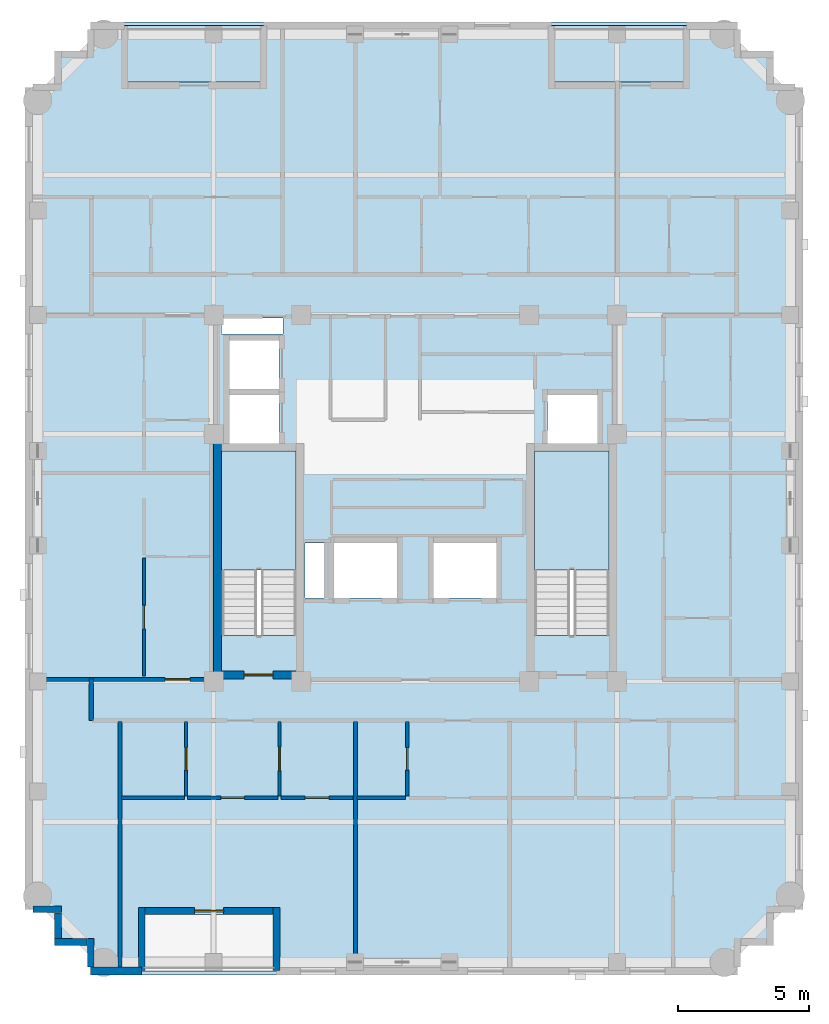
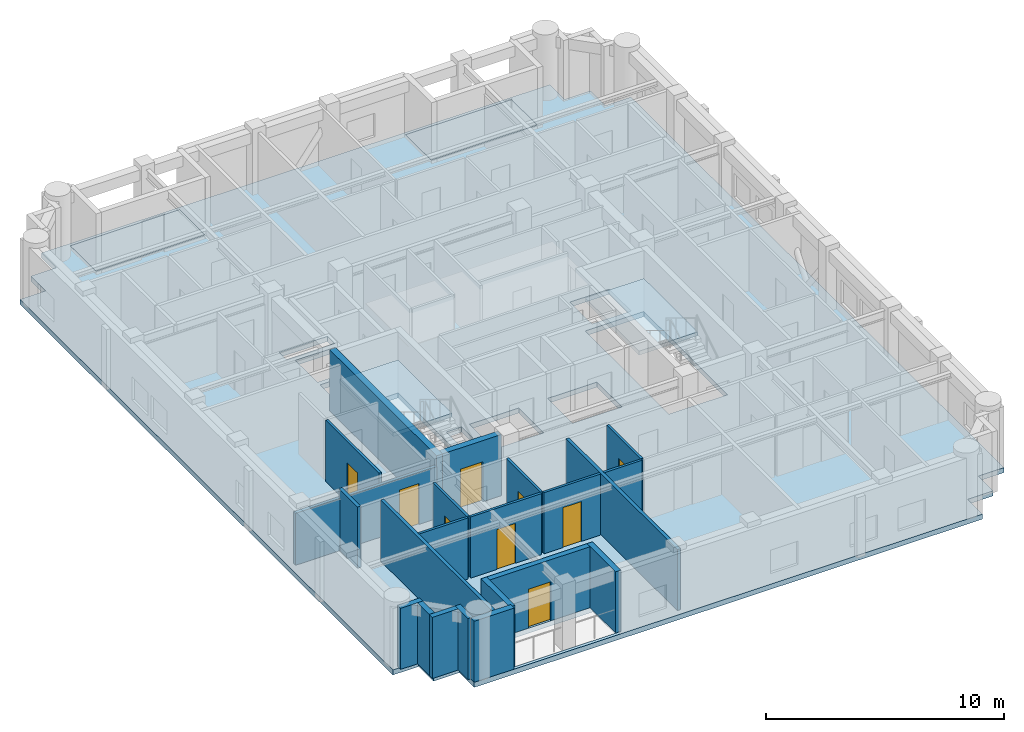
# One storey, part 2 of 10: 22 walls, 9 doors, 5 slabs, 9 openings, 2 elements without a shape of their own.
"""IFC4 building model written with IfcOpenShell, lengths in metres."""

from ifc_helpers import new_model, si_unit, derived_unit, direction, frame, frame_2d, origin, place, context, subcontext, project, spatial, polyline, rectangle, outline, extrude, material, layer, layer_set, type_object, element, fill, aggregate, save


model = new_model("IFC4")

# Units and contexts
model_context = context("Model", 3, precision=1e-05, world=origin(), true_north=direction((0.0, 1.0)))
body_context = subcontext(model_context, "Body", "Model", "MODEL_VIEW")
ifc_project = project(units=[si_unit("LENGTHUNIT", "METRE"), si_unit("AREAUNIT", "SQUARE_METRE"), si_unit("VOLUMEUNIT", "CUBIC_METRE"), si_unit("PLANEANGLEUNIT", "RADIAN"), si_unit("MASSUNIT", "GRAM", prefix="KILO"), derived_unit("THERMALTRANSMITTANCEUNIT", [(si_unit("MASSUNIT", "GRAM", prefix="KILO"), 1), (si_unit("TIMEUNIT", "SECOND"), -3), (si_unit("THERMODYNAMICTEMPERATUREUNIT", "KELVIN"), -1)])], contexts=[model_context])

# Site, building, storey
site_placement = place(None, origin())
site = spatial("IfcSite", under=ifc_project, at=site_placement, CompositionType="ELEMENT")
building_placement = place(site_placement, origin())
building = spatial("IfcBuilding", under=site, at=building_placement, Name="Korrvale Station Residences", CompositionType="ELEMENT")
storey_placement = place(building_placement, frame((0.0, 0.0, 237.699951171875)))
storey = spatial("IfcBuildingStorey", under=building, at=storey_placement, Name="L69", CompositionType="ELEMENT", Elevation=237.699951171875)

# Slabs
ifc_material_1 = material(Name="Concrete C50/60", Category="concrete")
ifc_layer_1 = layer(ifc_material_1, 0.219970703125, Name="Concrete C50/60")
ifc_layer_set_1 = layer_set([ifc_layer_1], Name="Concrete C50/60")
slab_type_1 = type_object("IfcSlabType", Name="SLB-BAL-220", PredefinedType="FLOOR", material=ifc_layer_set_1)
slab_1_placement = place(storey_placement, frame((0.0, 0.0, -0.219970703125)))
element("IfcSlab", 1, at=slab_1_placement, inside=storey, type_object=slab_type_1, Name="L69 Recessed Loggia Balcony Slab BAL-L69-N1", PredefinedType="FLOOR", context=body_context, shape_type="SweptSolid", body=[
    extrude(outline(polyline([(30.699951171875, 37.89990234375), (35.85009765625, 37.89990234375), (35.85009765625, 40.050048828125), (30.699951171875, 40.050048828125), (30.699951171875, 37.89990234375)])), origin(), (0.0, 0.0, 1.0), 0.219970703125),
])
slab_2_placement = place(storey_placement, frame((0.0, 0.0, -0.219970703125)))
element("IfcSlab", 2, at=slab_2_placement, inside=storey, type_object=slab_type_1, Name="L69 Recessed Loggia Balcony Slab BAL-L69-N2", PredefinedType="FLOOR", context=body_context, shape_type="SweptSolid", body=[
    extrude(outline(polyline([(14.39990234375, 37.89990234375), (19.699951171875, 37.89990234375), (19.699951171875, 40.050048828125), (14.39990234375, 40.050048828125), (14.39990234375, 37.89990234375)])), origin(), (0.0, 0.0, 1.0), 0.219970703125),
])
ifc_layer_2 = layer(ifc_material_1, 0.260009765625, Name="Concrete C50/60")
ifc_layer_set_2 = layer_set([ifc_layer_2], Name="Concrete C50/60")
slab_type_2 = type_object("IfcSlabType", Name="SLB-FLR-260", PredefinedType="FLOOR", material=ifc_layer_set_2)
slab_3_placement = place(storey_placement, frame((0.0, 0.0, -0.260009765625)))
element("IfcSlab", 3, at=slab_3_placement, inside=storey, type_object=slab_type_2, Name="L69 Suspended Structural Floor Slab", PredefinedType="FLOOR", context=body_context, shape_type="SweptSolid", body=[
    extrude(outline(polyline([(13.10009765625, 3.800048828125), (37.800048828125, 3.800048828125), (37.800048828125, 5.050048828125), (39.050048828125, 5.050048828125), (39.050048828125, 6.300048828125), (40.300048828125, 6.300048828125), (40.300048828125, 37.699951171875), (39.050048828125, 37.699951171875), (39.050048828125, 38.949951171875), (37.800048828125, 38.949951171875), (37.800048828125, 40.199951171875), (13.10009765625, 40.199951171875), (13.10009765625, 38.949951171875), (11.85009765625, 38.949951171875), (11.85009765625, 37.699951171875), (10.60009765625, 37.699951171875), (10.60009765625, 6.300048828125), (11.85009765625, 6.300048828125), (11.85009765625, 5.050048828125), (13.10009765625, 5.050048828125), (13.10009765625, 3.800048828125)]), holes=[polyline([(20.949951171875, 16.751953125), (20.949951171875, 23.800048828125), (18.10009765625, 23.800048828125), (18.10009765625, 16.751953125), (20.949951171875, 16.751953125)]), polyline([(32.89990234375, 16.751953125), (32.89990234375, 23.800048828125), (30.050048828125, 23.800048828125), (30.050048828125, 16.751953125), (32.89990234375, 16.751953125)]), polyline([(18.39990234375, 24.10009765625), (20.300048828125, 24.10009765625), (20.300048828125, 25.949951171875), (18.39990234375, 25.949951171875), (18.39990234375, 24.10009765625)]), polyline([(18.39990234375, 26.169921875), (20.300048828125, 26.169921875), (20.300048828125, 28.02001953125), (18.39990234375, 28.02001953125), (18.39990234375, 26.169921875)]), polyline([(30.550048828125, 24.10009765625), (32.449951171875, 24.10009765625), (32.449951171875, 25.949951171875), (30.550048828125, 25.949951171875), (30.550048828125, 24.10009765625)]), polyline([(22.39990234375, 18.199951171875), (24.800048828125, 18.199951171875), (24.800048828125, 20.300048828125), (22.39990234375, 20.300048828125), (22.39990234375, 18.199951171875)]), polyline([(26.199951171875, 18.199951171875), (28.60009765625, 18.199951171875), (28.60009765625, 20.300048828125), (26.199951171875, 20.300048828125), (26.199951171875, 18.199951171875)]), polyline([(18.10009765625, 28.280029296875), (20.449951171875, 28.280029296875), (20.449951171875, 28.8798828125), (18.10009765625, 28.8798828125), (18.10009765625, 28.280029296875)]), polyline([(21.280029296875, 18.199951171875), (22.02001953125, 18.199951171875), (22.02001953125, 20.300048828125), (21.280029296875, 20.300048828125), (21.280029296875, 18.199951171875)]), polyline([(15.050048828125, 3.949951171875), (20.199951171875, 3.949951171875), (20.199951171875, 6.10009765625), (15.050048828125, 6.10009765625), (15.050048828125, 3.949951171875)]), polyline([(30.699951171875, 37.89990234375), (35.85009765625, 37.89990234375), (35.85009765625, 40.050048828125), (30.699951171875, 40.050048828125), (30.699951171875, 37.89990234375)]), polyline([(14.39990234375, 37.89990234375), (19.699951171875, 37.89990234375), (19.699951171875, 40.050048828125), (14.39990234375, 40.050048828125), (14.39990234375, 37.89990234375)])]), origin(), (0.0, 0.0, 1.0), 0.260009765625),
])

# Stair, slab
stair_type = type_object("IfcStairType", Name="STR-DL-1350-20R-1700", PredefinedType="HALF_TURN_STAIR", material=ifc_material_1)
stair_1_placement = place(storey_placement, origin())
stair_1 = element("IfcStair", 4, at=stair_1_placement, inside=storey, type_object=stair_type, Name="L69 Exit Stair 1", PredefinedType="HALF_TURN_STAIR")
ifc_layer_3 = layer(ifc_material_1, 0.199951171875, Name="Concrete C50/60")
ifc_layer_set_3 = layer_set([ifc_layer_3], Name="Concrete C50/60")
slab_type_3 = type_object("IfcSlabType", Name="SLB-LND-200", PredefinedType="LANDING", material=ifc_layer_set_3)
slab_4_placement = place(storey_placement, frame((0.0, 0.0, 1.5)))
slab_4 = element("IfcSlab", 5, at=slab_4_placement, type_object=slab_type_3, Name="ST-1 landing 1", PredefinedType="LANDING", context=body_context, shape_type="SweptSolid", body=[
    extrude(outline(polyline([(20.949951171875, 19.27001953125), (20.949951171875, 23.800048828125), (18.10009765625, 23.800048828125), (18.10009765625, 19.27001953125), (20.949951171875, 19.27001953125)])), origin(), (0.0, 0.0, 1.0), 0.199951171875),
])
aggregate(stair_1, [slab_4])

stair_2_placement = place(storey_placement, origin())
stair_2 = element("IfcStair", 6, at=stair_2_placement, inside=storey, type_object=stair_type, Name="L69 Exit Stair 2", PredefinedType="HALF_TURN_STAIR")
slab_5_placement = place(storey_placement, frame((0.0, 0.0, 1.5)))
slab_5 = element("IfcSlab", 7, at=slab_5_placement, type_object=slab_type_3, Name="ST-2 landing 1", PredefinedType="LANDING", context=body_context, shape_type="SweptSolid", body=[
    extrude(outline(polyline([(32.89990234375, 19.27001953125), (32.89990234375, 23.800048828125), (30.050048828125, 23.800048828125), (30.050048828125, 19.27001953125), (32.89990234375, 19.27001953125)])), origin(), (0.0, 0.0, 1.0), 0.199951171875),
])
aggregate(stair_2, [slab_5])

# Wall
ifc_layer_4 = layer(ifc_material_1, 0.300048828125, Name="Concrete C50/60")
ifc_layer_set_4 = layer_set([ifc_layer_4], Name="Concrete C50/60")
wall_type_1 = type_object("IfcWallType", Name="WAL-CORE-300-C50", PredefinedType="SHEAR", material=ifc_layer_set_4)
wall_1_placement = place(storey_placement, frame((17.949951171875, 15.10009765625, 0.0), z_axis=(0.0, 0.0, 1.0), x_axis=(0.0, 1.0, 0.0)))
element("IfcWall", 8, at=wall_1_placement, inside=storey, type_object=wall_type_1, Name="L69 ST-1 Core Shear Wall West", PredefinedType="SHEAR", context=body_context, shape_type="SweptSolid", body=[
    extrude(rectangle(XDim=9.0, YDim=0.300048828125, at=frame_2d((4.5, 0.0))), origin(), (0.0, 0.0, 1.0), 3.14013671875),
])

# Wall, opening, door
wall_2_placement = place(storey_placement, frame((18.10009765625, 15.25, 0.0), z_axis=(0.0, 0.0, 1.0), x_axis=(1.0, 0.0, 0.0)))
wall_2 = element("IfcWall", 9, at=wall_2_placement, inside=storey, type_object=wall_type_1, Name="L69 ST-1 Core Shear Wall South", PredefinedType="SHEAR", context=body_context, shape_type="SweptSolid", body=[
    extrude(rectangle(XDim=2.849853515625, YDim=0.300048828125, at=frame_2d((1.4248046875, 0.0))), origin(), (0.0, 0.0, 1.0), 3.14013671875),
])
opening_1_placement = place(wall_2_placement, frame((0.860107421875, 0.0, 0.0)))
opening_1 = element("IfcOpeningElement", 10, at=opening_1_placement, cuts=wall_2, Name="Opening SD-1100", PredefinedType="OPENING", context=body_context, shape_type="SweptSolid", body=[
    extrude(rectangle(XDim=1.10009765625, YDim=2.050048828125, at=frame_2d((0.550048828125, 1.02490234375))), frame((0.0, 0.16015625, 0.0), z_axis=(0.0, -1.0, 0.0), x_axis=(1.0, 0.0, 0.0)), (0.0, 0.0, 1.0), 0.320068359375),
])
ifc_material_2 = material(Name="Hollow-metal fire-rated stair door with closer", Category="steel")
door_type_1 = type_object("IfcDoorType", Name="DR-STAIR-1100", OperationType="NOTDEFINED", PredefinedType="DOOR", material=ifc_material_2)
door_1_placement = place(opening_1_placement, origin())
door_1 = element("IfcDoor", 11, at=door_1_placement, inside=storey, type_object=door_type_1, Name="L69 ST-1 Exit Stair Door", OperationType="SINGLE_SWING_LEFT", OverallHeight=2.050048828125, OverallWidth=1.10009765625, PredefinedType="DOOR", context=body_context, shape_type="SweptSolid", body=[
    extrude(rectangle(XDim=1.10009765625, YDim=2.050048828125, at=frame_2d((0.550048828125, 1.02490234375))), frame((0.0, 0.02490234375, 0.0), z_axis=(0.0, -1.0, 0.0), x_axis=(1.0, 0.0, 0.0)), (0.0, 0.0, 1.0), 0.050048828125),
])
fill(opening_1, door_1)

# Wall
ifc_material_3 = material(Name="Precast concrete C45/55", Category="concrete")
ifc_layer_5 = layer(ifc_material_3, 0.260009765625, Name="Precast concrete C45/55")
ifc_layer_set_5 = layer_set([ifc_layer_5], Name="Precast concrete C45/55")
wall_type_2 = type_object("IfcWallType", Name="WAL-EXT-LOG260", PredefinedType="SOLIDWALL", material=ifc_layer_set_5)
wall_3_placement = place(storey_placement, frame((20.199951171875, 3.9599609375, 0.0), z_axis=(0.0, 0.0, 1.0), x_axis=(0.0, 1.0, 0.0)))
element("IfcWall", 12, at=wall_3_placement, inside=storey, type_object=wall_type_2, Name="L69 Recessed Loggia Wall BAL-L69-S1-L", PredefinedType="SOLIDWALL", context=body_context, shape_type="SweptSolid", body=[
    extrude(rectangle(XDim=2.400146484375, YDim=0.260009765625, at=frame_2d((1.2001953125, 0.0))), origin(), (0.0, 0.0, 1.0), 3.14013671875),
])

# Wall, opening, door
wall_4_placement = place(storey_placement, frame((20.06591796875, 6.22998046875, 0.0), z_axis=(0.0, 0.0, 1.0), x_axis=(-1.0, 0.0, 0.0)))
wall_4 = element("IfcWall", 13, at=wall_4_placement, inside=storey, type_object=wall_type_2, Name="L69 Recessed Loggia Wall BAL-L69-S1-B", PredefinedType="SOLIDWALL", context=body_context, shape_type="SweptSolid", body=[
    extrude(rectangle(XDim=4.8818359375, YDim=0.260009765625, at=frame_2d((2.44091796875, 0.0))), origin(), (0.0, 0.0, 1.0), 3.14013671875),
])
opening_2_placement = place(wall_4_placement, frame((1.89111328125, 0.0, 0.0)))
opening_2 = element("IfcOpeningElement", 14, at=opening_2_placement, cuts=wall_4, Name="Opening BD-01", PredefinedType="OPENING", context=body_context, shape_type="SweptSolid", body=[
    extrude(rectangle(XDim=1.10009765625, YDim=2.0, at=frame_2d((0.550048828125, 1.0))), frame((0.0, 0.14013671875, 0.0), z_axis=(0.0, -1.0, 0.0), x_axis=(1.0, 0.0, 0.0)), (0.0, 0.0, 1.0), 0.280029296875),
])
ifc_material_4 = material(Name="Exterior thermally broken aluminium glazed balcony door", Category="aluminium")
door_type_2 = type_object("IfcDoorType", Name="DR-EXT-BAL", OperationType="NOTDEFINED", PredefinedType="DOOR", material=ifc_material_4)
door_2_placement = place(opening_2_placement, origin())
door_2 = element("IfcDoor", 15, at=door_2_placement, inside=storey, type_object=door_type_2, Name="L69 Loggia Balcony Door BAL-L69-S1", OperationType="SINGLE_SWING_LEFT", OverallHeight=2.0, OverallWidth=1.10009765625, PredefinedType="DOOR", context=body_context, shape_type="SweptSolid", body=[
    extrude(rectangle(XDim=1.10009765625, YDim=2.0, at=frame_2d((0.550048828125, 1.0))), frame((0.0, 0.02490234375, 0.0), z_axis=(0.0, -1.0, 0.0), x_axis=(1.0, 0.0, 0.0)), (0.0, 0.0, 1.0), 0.050048828125),
])
fill(opening_2, door_2)

# Walls
wall_5_placement = place(storey_placement, frame((15.050048828125, 6.360107421875, 0.0), z_axis=(0.0, 0.0, 1.0), x_axis=(0.0, -1.0, 0.0)))
element("IfcWall", 16, at=wall_5_placement, inside=storey, type_object=wall_type_2, Name="L69 Recessed Loggia Wall BAL-L69-S1-R", PredefinedType="SOLIDWALL", context=body_context, shape_type="SweptSolid", body=[
    extrude(rectangle(XDim=2.400146484375, YDim=0.260009765625, at=frame_2d((1.2001953125, 0.0))), origin(), (0.0, 0.0, 1.0), 3.14013671875),
])
wall_6_placement = place(storey_placement, frame((13.10009765625, 4.10205078125, 0.0), z_axis=(0.0, 0.0, 1.0), x_axis=(0.0, 1.0, 0.0)))
element("IfcWall", 17, at=wall_6_placement, inside=storey, type_object=wall_type_2, Name="L69 Serrated Corner Precast Step SW-1", PredefinedType="SOLIDWALL", context=body_context, shape_type="SweptSolid", body=[
    extrude(rectangle(XDim=1.077880859375, YDim=0.260009765625, at=frame_2d((0.5390625, 0.0))), origin(), (0.0, 0.0, 1.0), 3.14013671875),
])
wall_7_placement = place(storey_placement, frame((12.968017578125, 5.050048828125, 0.0), z_axis=(0.0, 0.0, 1.0), x_axis=(-1.0, 0.0, 0.0)))
element("IfcWall", 18, at=wall_7_placement, inside=storey, type_object=wall_type_2, Name="L69 Serrated Corner Precast Step SW-2", PredefinedType="SOLIDWALL", context=body_context, shape_type="SweptSolid", body=[
    extrude(rectangle(XDim=1.248046875, YDim=0.260009765625, at=frame_2d((0.6240234375, 0.0))), origin(), (0.0, 0.0, 1.0), 3.14013671875),
])
wall_8_placement = place(storey_placement, frame((11.85009765625, 5.181884765625, 0.0), z_axis=(0.0, 0.0, 1.0), x_axis=(0.0, 1.0, 0.0)))
element("IfcWall", 19, at=wall_8_placement, inside=storey, type_object=wall_type_2, Name="L69 Serrated Corner Precast Step SW-3", PredefinedType="SOLIDWALL", context=body_context, shape_type="SweptSolid", body=[
    extrude(rectangle(XDim=0.986083984375, YDim=0.260009765625, at=frame_2d((0.4931640625, 0.0))), origin(), (0.0, 0.0, 1.0), 3.14013671875),
])
wall_9_placement = place(storey_placement, frame((11.97998046875, 6.300048828125, 0.0), z_axis=(0.0, 0.0, 1.0), x_axis=(-1.0, 0.0, 0.0)))
element("IfcWall", 20, at=wall_9_placement, inside=storey, type_object=wall_type_2, Name="L69 Serrated Corner Precast Step SW-4", PredefinedType="SOLIDWALL", context=body_context, shape_type="SweptSolid", body=[
    extrude(rectangle(XDim=1.077880859375, YDim=0.260009765625, at=frame_2d((0.5390625, 0.0))), origin(), (0.0, 0.0, 1.0), 3.14013671875),
])
ifc_layer_6 = layer(ifc_material_3, 0.300048828125, Name="Precast concrete C45/55")
ifc_layer_set_6 = layer_set([ifc_layer_6], Name="Precast concrete C45/55")
wall_type_3 = type_object("IfcWallType", Name="WAL-EXT-PC300", PredefinedType="SOLIDWALL", material=ifc_layer_set_6)
wall_10_placement = place(storey_placement, frame((15.050048828125, 3.949951171875, 0.0), z_axis=(0.0, 0.0, 1.0), x_axis=(-1.0, 0.0, 0.0)))
element("IfcWall", 21, at=wall_10_placement, inside=storey, type_object=wall_type_3, Name="L69 South Exterior Precast Wall 2", PredefinedType="SOLIDWALL", context=body_context, shape_type="SweptSolid", body=[
    extrude(rectangle(XDim=1.949951171875, YDim=0.300048828125, at=frame_2d((0.97509765625, 0.0))), origin(), (0.0, 0.0, 1.0), 3.14013671875),
])

# Wall, opening, door
ifc_material_5 = material(Name="Acoustic steel-stud gypsum board partition", Category="steel")
ifc_layer_7 = layer(ifc_material_5, 0.1201171875, Name="Acoustic steel-stud gypsum board partition")
ifc_layer_set_7 = layer_set([ifc_layer_7], Name="Acoustic steel-stud gypsum board partition")
wall_type_4 = type_object("IfcWallType", Name="WAL-PART-125", PredefinedType="PARTITIONING", material=ifc_layer_set_7)
wall_11_placement = place(storey_placement, frame((16.739990234375, 10.6201171875, 0.0), z_axis=(0.0, 0.0, 1.0), x_axis=(0.0, 1.0, 0.0)))
wall_11 = element("IfcWall", 22, at=wall_11_placement, inside=storey, type_object=wall_type_4, Name="L69 Suite Partition U01-V01", PredefinedType="PARTITIONING", context=body_context, shape_type="SweptSolid", body=[
    extrude(rectangle(XDim=2.849853515625, YDim=0.1201171875, at=frame_2d((1.4248046875, 0.0))), origin(), (0.0, 0.0, 1.0), 3.14013671875),
])
opening_3_placement = place(wall_11_placement, frame((0.9951171875, 0.0, 0.0)))
opening_3 = element("IfcOpeningElement", 23, at=opening_3_placement, cuts=wall_11, Name="Opening DB-860", PredefinedType="OPENING", context=body_context, shape_type="SweptSolid", body=[
    extrude(rectangle(XDim=0.860107421875, YDim=2.050048828125, at=frame_2d((0.43017578125, 1.02490234375))), frame((0.0, 0.070068359375, 0.0), z_axis=(0.0, -1.0, 0.0), x_axis=(1.0, 0.0, 0.0)), (0.0, 0.0, 1.0), 0.14013671875),
])
ifc_material_6 = material(Name="Moisture-resistant solid-core bathroom door", Category="timber")
door_type_3 = type_object("IfcDoorType", Name="DR-BATH-860", OperationType="NOTDEFINED", PredefinedType="DOOR", material=ifc_material_6)
door_3_placement = place(opening_3_placement, origin())
door_3 = element("IfcDoor", 24, at=door_3_placement, inside=storey, type_object=door_type_3, Name="L69 Studio Apartment L69-U01 Bathroom Door", OperationType="SINGLE_SWING_LEFT", OverallHeight=2.050048828125, OverallWidth=0.860107421875, PredefinedType="DOOR", context=body_context, shape_type="SweptSolid", body=[
    extrude(rectangle(XDim=0.860107421875, YDim=2.050048828125, at=frame_2d((0.43017578125, 1.02490234375))), frame((0.0, 0.02490234375, 0.0), z_axis=(0.0, -1.0, 0.0), x_axis=(1.0, 0.0, 0.0)), (0.0, 0.0, 1.0), 0.050048828125),
])
fill(opening_3, door_3)

# Wall
wall_12_placement = place(storey_placement, frame((14.280029296875, 10.56005859375, 0.0), z_axis=(0.0, 0.0, 1.0), x_axis=(1.0, 0.0, 0.0)))
element("IfcWall", 25, at=wall_12_placement, inside=storey, type_object=wall_type_4, Name="L69 Suite Partition U01-H03", PredefinedType="PARTITIONING", context=body_context, shape_type="SweptSolid", body=[
    extrude(rectangle(XDim=2.39990234375, YDim=0.1201171875, at=frame_2d((1.199951171875, 0.0))), origin(), (0.0, 0.0, 1.0), 3.14013671875),
])

# Wall, opening, door
wall_13_placement = place(storey_placement, frame((20.31005859375, 10.6201171875, 0.0), z_axis=(0.0, 0.0, 1.0), x_axis=(0.0, 1.0, 0.0)))
wall_13 = element("IfcWall", 26, at=wall_13_placement, inside=storey, type_object=wall_type_4, Name="L69 Suite Partition U01-V12", PredefinedType="PARTITIONING", context=body_context, shape_type="SweptSolid", body=[
    extrude(rectangle(XDim=2.849853515625, YDim=0.1201171875, at=frame_2d((1.4248046875, 0.0))), origin(), (0.0, 0.0, 1.0), 3.14013671875),
])
opening_4_placement = place(wall_13_placement, frame((0.97509765625, 0.0, 0.0)))
opening_4 = element("IfcOpeningElement", 27, at=opening_4_placement, cuts=wall_13, Name="Opening DI-900", PredefinedType="OPENING", context=body_context, shape_type="SweptSolid", body=[
    extrude(rectangle(XDim=0.89990234375, YDim=2.050048828125, at=frame_2d((0.449951171875, 1.02490234375))), frame((0.0, 0.070068359375, 0.0), z_axis=(0.0, -1.0, 0.0), x_axis=(1.0, 0.0, 0.0)), (0.0, 0.0, 1.0), 0.14013671875),
])
ifc_material_7 = material(Name="Painted solid-core timber interior room door", Category="wood")
door_type_4 = type_object("IfcDoorType", Name="DR-INT-900", OperationType="NOTDEFINED", PredefinedType="DOOR", material=ifc_material_7)
door_4_placement = place(opening_4_placement, origin())
door_4 = element("IfcDoor", 28, at=door_4_placement, inside=storey, type_object=door_type_4, Name="L69 Studio Apartment L69-U01 Kitchen Door", OperationType="SINGLE_SWING_RIGHT", OverallHeight=2.050048828125, OverallWidth=0.89990234375, PredefinedType="DOOR", context=body_context, shape_type="SweptSolid", body=[
    extrude(rectangle(XDim=0.89990234375, YDim=2.050048828125, at=frame_2d((0.449951171875, 1.02490234375))), frame((0.0, 0.02490234375, 0.0), z_axis=(0.0, -1.0, 0.0), x_axis=(1.0, 0.0, 0.0)), (0.0, 0.0, 1.0), 0.050048828125),
])
fill(opening_4, door_4)

wall_14_placement = place(storey_placement, frame((16.800048828125, 10.56005859375, 0.0), z_axis=(0.0, 0.0, 1.0), x_axis=(1.0, 0.0, 0.0)))
wall_14 = element("IfcWall", 29, at=wall_14_placement, inside=storey, type_object=wall_type_4, Name="L69 Suite Partition U01-H13", PredefinedType="PARTITIONING", context=body_context, shape_type="SweptSolid", body=[
    extrude(rectangle(XDim=3.449951171875, YDim=0.1201171875, at=frame_2d((1.72509765625, 0.0))), origin(), (0.0, 0.0, 1.0), 3.14013671875),
])
opening_5_placement = place(wall_14_placement, frame((1.27490234375, 0.0, 0.0)))
opening_5 = element("IfcOpeningElement", 30, at=opening_5_placement, cuts=wall_14, Name="Opening DI-900", PredefinedType="OPENING", context=body_context, shape_type="SweptSolid", body=[
    extrude(rectangle(XDim=0.89990234375, YDim=2.050048828125, at=frame_2d((0.449951171875, 1.02490234375))), frame((0.0, 0.070068359375, 0.0), z_axis=(0.0, -1.0, 0.0), x_axis=(1.0, 0.0, 0.0)), (0.0, 0.0, 1.0), 0.14013671875),
])
door_5_placement = place(opening_5_placement, origin())
door_5 = element("IfcDoor", 31, at=door_5_placement, inside=storey, type_object=door_type_4, Name="L69 Studio Apartment L69-U01 Kitchen Door", OperationType="SINGLE_SWING_LEFT", OverallHeight=2.050048828125, OverallWidth=0.89990234375, PredefinedType="DOOR", context=body_context, shape_type="SweptSolid", body=[
    extrude(rectangle(XDim=0.89990234375, YDim=2.050048828125, at=frame_2d((0.449951171875, 1.02490234375))), frame((0.0, 0.02490234375, 0.0), z_axis=(0.0, -1.0, 0.0), x_axis=(1.0, 0.0, 0.0)), (0.0, 0.0, 1.0), 0.050048828125),
])
fill(opening_5, door_5)

wall_15_placement = place(storey_placement, frame((20.3701171875, 10.56005859375, 0.0), z_axis=(0.0, 0.0, 1.0), x_axis=(1.0, 0.0, 0.0)))
wall_15 = element("IfcWall", 32, at=wall_15_placement, inside=storey, type_object=wall_type_4, Name="L69 Suite Partition U01-H23", PredefinedType="PARTITIONING", context=body_context, shape_type="SweptSolid", body=[
    extrude(rectangle(XDim=2.75, YDim=0.1201171875, at=frame_2d((1.375, 0.0))), origin(), (0.0, 0.0, 1.0), 3.14013671875),
])
opening_6_placement = place(wall_15_placement, frame((0.925048828125, 0.0, 0.0)))
opening_6 = element("IfcOpeningElement", 33, at=opening_6_placement, cuts=wall_15, Name="Opening DI-900", PredefinedType="OPENING", context=body_context, shape_type="SweptSolid", body=[
    extrude(rectangle(XDim=0.89990234375, YDim=2.050048828125, at=frame_2d((0.449951171875, 1.02490234375))), frame((0.0, 0.070068359375, 0.0), z_axis=(0.0, -1.0, 0.0), x_axis=(1.0, 0.0, 0.0)), (0.0, 0.0, 1.0), 0.14013671875),
])
door_6_placement = place(opening_6_placement, origin())
door_6 = element("IfcDoor", 34, at=door_6_placement, inside=storey, type_object=door_type_4, Name="L69 Studio Apartment L69-U01 Utility and Laundry Room Door", OperationType="SINGLE_SWING_RIGHT", OverallHeight=2.050048828125, OverallWidth=0.89990234375, PredefinedType="DOOR", context=body_context, shape_type="SweptSolid", body=[
    extrude(rectangle(XDim=0.89990234375, YDim=2.050048828125, at=frame_2d((0.449951171875, 1.02490234375))), frame((0.0, 0.02490234375, 0.0), z_axis=(0.0, -1.0, 0.0), x_axis=(1.0, 0.0, 0.0)), (0.0, 0.0, 1.0), 0.050048828125),
])
fill(opening_6, door_6)

wall_16_placement = place(storey_placement, frame((25.18994140625, 10.6201171875, 0.0), z_axis=(0.0, 0.0, 1.0), x_axis=(0.0, 1.0, 0.0)))
wall_16 = element("IfcWall", 35, at=wall_16_placement, inside=storey, type_object=wall_type_4, Name="L69 Suite Partition U02-V01", PredefinedType="PARTITIONING", context=body_context, shape_type="SweptSolid", body=[
    extrude(rectangle(XDim=2.849853515625, YDim=0.1201171875, at=frame_2d((1.4248046875, 0.0))), origin(), (0.0, 0.0, 1.0), 3.14013671875),
])
opening_7_placement = place(wall_16_placement, frame((0.9951171875, 0.0, 0.0)))
opening_7 = element("IfcOpeningElement", 36, at=opening_7_placement, cuts=wall_16, Name="Opening DB-860", PredefinedType="OPENING", context=body_context, shape_type="SweptSolid", body=[
    extrude(rectangle(XDim=0.860107421875, YDim=2.050048828125, at=frame_2d((0.43017578125, 1.02490234375))), frame((0.0, 0.070068359375, 0.0), z_axis=(0.0, -1.0, 0.0), x_axis=(1.0, 0.0, 0.0)), (0.0, 0.0, 1.0), 0.14013671875),
])
door_7_placement = place(opening_7_placement, origin())
door_7 = element("IfcDoor", 37, at=door_7_placement, inside=storey, type_object=door_type_3, Name="L69 Studio Apartment L69-U02 Bathroom Door", OperationType="SINGLE_SWING_LEFT", OverallHeight=2.050048828125, OverallWidth=0.860107421875, PredefinedType="DOOR", context=body_context, shape_type="SweptSolid", body=[
    extrude(rectangle(XDim=0.860107421875, YDim=2.050048828125, at=frame_2d((0.43017578125, 1.02490234375))), frame((0.0, 0.02490234375, 0.0), z_axis=(0.0, -1.0, 0.0), x_axis=(1.0, 0.0, 0.0)), (0.0, 0.0, 1.0), 0.050048828125),
])
fill(opening_7, door_7)

# Wall
wall_17_placement = place(storey_placement, frame((23.280029296875, 10.56005859375, 0.0), z_axis=(0.0, 0.0, 1.0), x_axis=(1.0, 0.0, 0.0)))
element("IfcWall", 38, at=wall_17_placement, inside=storey, type_object=wall_type_4, Name="L69 Suite Partition U02-H02", PredefinedType="PARTITIONING", context=body_context, shape_type="SweptSolid", body=[
    extrude(rectangle(XDim=1.849853515625, YDim=0.1201171875, at=frame_2d((0.9248046875, 0.0))), origin(), (0.0, 0.0, 1.0), 3.14013671875),
])

# Wall, opening, door
wall_18_placement = place(storey_placement, frame((15.1298828125, 15.2099609375, 0.0), z_axis=(0.0, 0.0, 1.0), x_axis=(0.0, 1.0, 0.0)))
wall_18 = element("IfcWall", 39, at=wall_18_placement, inside=storey, type_object=wall_type_4, Name="L69 Suite Partition U07-V12", PredefinedType="PARTITIONING", context=body_context, shape_type="SweptSolid", body=[
    extrude(rectangle(XDim=4.5, YDim=0.1201171875, at=frame_2d((2.25, 0.0))), origin(), (0.0, 0.0, 1.0), 3.14013671875),
])
opening_8_placement = place(wall_18_placement, frame((1.800048828125, 0.0, 0.0)))
opening_8 = element("IfcOpeningElement", 40, at=opening_8_placement, cuts=wall_18, Name="Opening DI-900", PredefinedType="OPENING", context=body_context, shape_type="SweptSolid", body=[
    extrude(rectangle(XDim=0.89990234375, YDim=2.050048828125, at=frame_2d((0.449951171875, 1.02490234375))), frame((0.0, 0.070068359375, 0.0), z_axis=(0.0, -1.0, 0.0), x_axis=(1.0, 0.0, 0.0)), (0.0, 0.0, 1.0), 0.14013671875),
])
door_8_placement = place(opening_8_placement, origin())
door_8 = element("IfcDoor", 41, at=door_8_placement, inside=storey, type_object=door_type_4, Name="L69 Apartment 1BR L69-U07 Kitchen Door", OperationType="SINGLE_SWING_LEFT", OverallHeight=2.050048828125, OverallWidth=0.89990234375, PredefinedType="DOOR", context=body_context, shape_type="SweptSolid", body=[
    extrude(rectangle(XDim=0.89990234375, YDim=2.050048828125, at=frame_2d((0.449951171875, 1.02490234375))), frame((0.0, 0.02490234375, 0.0), z_axis=(0.0, -1.0, 0.0), x_axis=(1.0, 0.0, 0.0)), (0.0, 0.0, 1.0), 0.050048828125),
])
fill(opening_8, door_8)

# Walls
ifc_material_8 = material(Name="Fire-rated twin-stud gypsum and mineral wool shaftwall assembly", Category="gypsum")
ifc_layer_8 = layer(ifc_material_8, 0.159912109375, Name="Fire-rated twin-stud gypsum and mineral wool shaftwall assembly")
ifc_layer_set_8 = layer_set([ifc_layer_8], Name="Fire-rated twin-stud gypsum and mineral wool shaftwall assembly")
wall_type_5 = type_object("IfcWallType", Name="WAL-PART-200", PredefinedType="PARTITIONING", material=ifc_layer_set_8)
wall_19_placement = place(storey_placement, frame((13.1201171875, 13.510009765625, 0.0), z_axis=(0.0, 0.0, 1.0), x_axis=(0.0, 1.0, 0.0)))
element("IfcWall", 42, at=wall_19_placement, inside=storey, type_object=wall_type_5, Name="L69 Corridor South West Cap", PredefinedType="PARTITIONING", context=body_context, shape_type="SweptSolid", body=[
    extrude(rectangle(XDim=1.580078125, YDim=0.159912109375, at=frame_2d((0.7900390625, 0.0))), origin(), (0.0, 0.0, 1.0), 3.14013671875),
])
for number, where, z_axis, x_axis, name in (
    (43, (14.219970703125, 4.080078125, 0.0), (0.0, 0.0, 1.0), (0.0, 1.0, 0.0), "L69 Demising Wall U01-W"),
    (44, (23.219970703125, 4.080078125, 0.0), (0.0, 0.0, 1.0), (0.0, 1.0, 0.0), "L69 Demising Wall U02-W"),
):
    element("IfcWall", number, at=place(storey_placement, frame(where, z_axis=z_axis, x_axis=x_axis)), inside=storey, type_object=wall_type_5, Name=name, PredefinedType="PARTITIONING", context=body_context, shape_type="SweptSolid", body=[
        extrude(rectangle(XDim=9.389892578125, YDim=0.159912109375, at=frame_2d((4.69482421875, 0.0))), origin(), (0.0, 0.0, 1.0), 3.14013671875),
    ])

# Wall, opening, door
wall_20_placement = place(storey_placement, frame((10.8798828125, 15.080078125, 0.0), z_axis=(0.0, 0.0, 1.0), x_axis=(1.0, 0.0, 0.0)))
wall_20 = element("IfcWall", 45, at=wall_20_placement, inside=storey, type_object=wall_type_5, Name="L69 Side Suite South Entry Wall U07", PredefinedType="PARTITIONING", context=body_context, shape_type="SweptSolid", body=[
    extrude(rectangle(XDim=6.880126953125, YDim=0.159912109375, at=frame_2d((3.43994140625, 0.0))), origin(), (0.0, 0.0, 1.0), 2.66796875),
])
opening_9_placement = place(wall_20_placement, frame((5.06005859375, 0.0, 0.0)))
opening_9 = element("IfcOpeningElement", 46, at=opening_9_placement, cuts=wall_20, Name="Opening UD-950", PredefinedType="OPENING", context=body_context, shape_type="SweptSolid", body=[
    extrude(rectangle(XDim=0.949951171875, YDim=2.10009765625, at=frame_2d((0.47509765625, 1.050048828125))), frame((0.0, 0.08984375, 0.0), z_axis=(0.0, -1.0, 0.0), x_axis=(1.0, 0.0, 0.0)), (0.0, 0.0, 1.0), 0.179931640625),
])
ifc_material_9 = material(Name="Solid-core acoustic oak apartment entrance door", Category="timber")
door_type_5 = type_object("IfcDoorType", Name="DR-UNIT-950", OperationType="NOTDEFINED", PredefinedType="DOOR", material=ifc_material_9)
door_9_placement = place(opening_9_placement, origin())
door_9 = element("IfcDoor", 47, at=door_9_placement, inside=storey, type_object=door_type_5, Name="L69 Apartment L69-U07 Entrance Door", OperationType="SINGLE_SWING_LEFT", OverallHeight=2.10009765625, OverallWidth=0.949951171875, PredefinedType="DOOR", context=body_context, shape_type="SweptSolid", body=[
    extrude(rectangle(XDim=0.949951171875, YDim=2.10009765625, at=frame_2d((0.47509765625, 1.050048828125))), frame((0.0, 0.02490234375, 0.0), z_axis=(0.0, -1.0, 0.0), x_axis=(1.0, 0.0, 0.0)), (0.0, 0.0, 1.0), 0.050048828125),
])
fill(opening_9, door_9)

save(model, "model.ifc")
